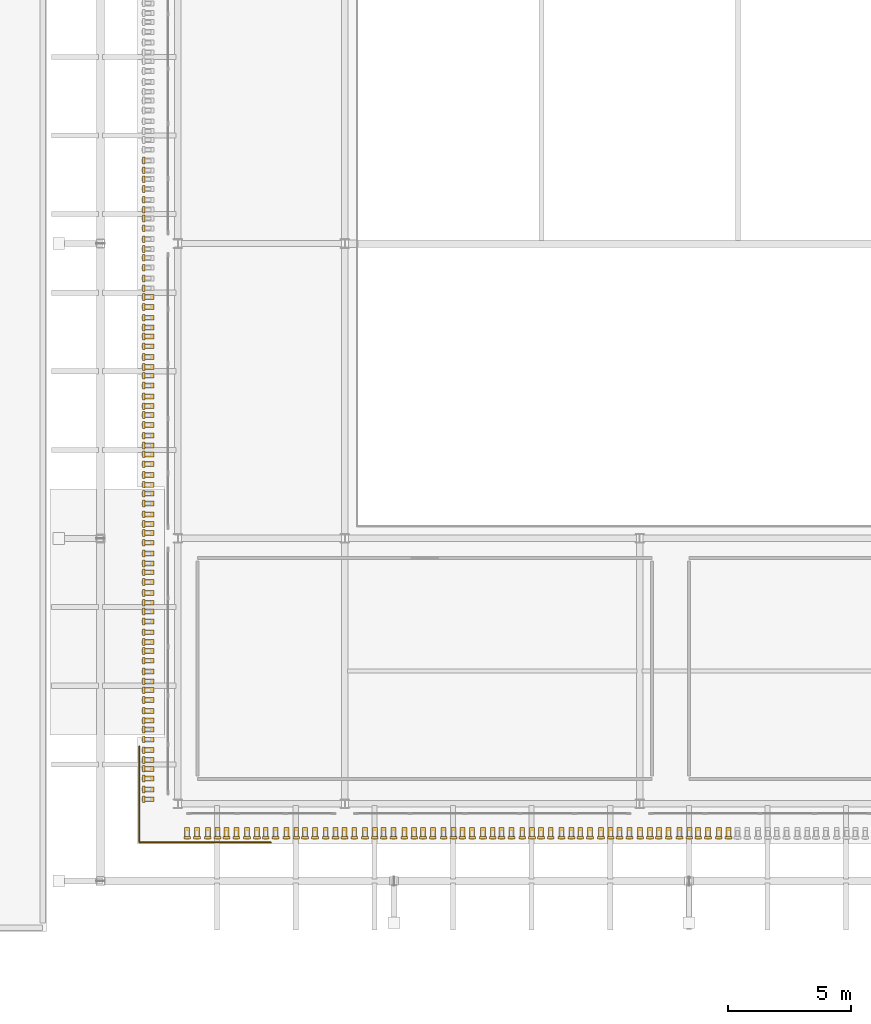
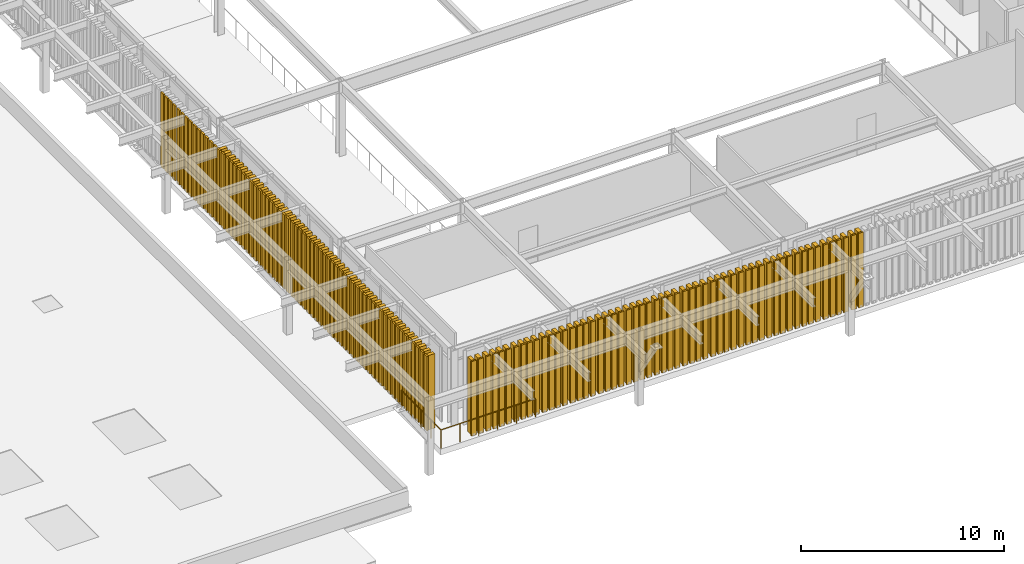
# One storey, part 116 of 126: 122 shading devices, 108 coverings, 1 railing.
"""IFC4 building model written with IfcOpenShell, lengths in metres."""

from ifc_helpers import new_model, si_unit, derived_unit, direction, frame, origin, origin_2d, place, context, subcontext, project, spatial, rectangle, circle, extrude, material, layer, layer_set, material_profile, profile_set, type_object, element, save


model = new_model("IFC4")

# Units and contexts
model_context = context("Model", 3, precision=1e-05, world=origin(), true_north=direction((0.0, 1.0)))
body_context = subcontext(model_context, "Body", "Model", "MODEL_VIEW")
ifc_project = project(units=[si_unit("LENGTHUNIT", "METRE"), si_unit("AREAUNIT", "SQUARE_METRE"), si_unit("VOLUMEUNIT", "CUBIC_METRE"), si_unit("PLANEANGLEUNIT", "RADIAN"), si_unit("MASSUNIT", "GRAM", prefix="KILO"), derived_unit("THERMALTRANSMITTANCEUNIT", [(si_unit("MASSUNIT", "GRAM", prefix="KILO"), 1), (si_unit("TIMEUNIT", "SECOND"), -3), (si_unit("THERMODYNAMICTEMPERATUREUNIT", "KELVIN"), -1)])], contexts=[model_context])

# Site, building, storey
site_placement = place(None, origin())
site = spatial("IfcSite", under=ifc_project, at=site_placement, CompositionType="ELEMENT")
building_placement = place(site_placement, origin())
building = spatial("IfcBuilding", under=site, at=building_placement, Name="Valcora Ridge Arena", CompositionType="ELEMENT")
storey_placement = place(building_placement, frame((0.0, 0.0, 11.39990234375)))
storey = spatial("IfcBuildingStorey", under=building, at=storey_placement, Name="L02", CompositionType="ELEMENT", Elevation=11.39990234375)

# Coverings
ifc_material_1 = material(Name="Anodised terracotta-bronze aluminium lancet batten 6063-T6", Category="masonry")
ifc_layer = layer(ifc_material_1, 0.199951171875, Name="Anodised terracotta-bronze aluminium lancet batten 6063-T6")
ifc_layer_set = layer_set([ifc_layer], Name="Anodised terracotta-bronze aluminium lancet batten 6063-T6")
covering_type = type_object("IfcCoveringType", Name="TY-COVERING-BAT-LANCET-448", PredefinedType="CLADDING", material=ifc_layer_set)
for number, where, z_axis, x_axis, name in (
    (1, (136.050048828125, 5.3798828125, 0.0), (0.0, 0.0, 1.0), (1.0, 0.0, 0.0), "BAT-LANCET-448 COV-BT-0001"),
    (2, (136.050048828125, 5.780029296875, 0.0), (0.0, 0.0, 1.0), (1.0, 0.0, 0.0), "BAT-LANCET-448 COV-BT-0003"),
    (3, (136.050048828125, 6.219970703125, 0.0), (0.0, 0.0, 1.0), (1.0, 0.0, 0.0), "BAT-LANCET-448 COV-BT-0005"),
    (4, (136.050048828125, 6.6201171875, 0.0), (0.0, 0.0, 1.0), (1.0, 0.0, 0.0), "BAT-LANCET-448 COV-BT-0007"),
    (5, (136.050048828125, 6.97998046875, 0.0), (0.0, 0.0, 1.0), (1.0, 0.0, 0.0), "BAT-LANCET-448 COV-BT-0009"),
    (6, (136.050048828125, 7.3798828125, 0.0), (0.0, 0.0, 1.0), (1.0, 0.0, 0.0), "BAT-LANCET-448 COV-BT-0011"),
    (7, (136.050048828125, 7.820068359375, 0.0), (0.0, 0.0, 1.0), (1.0, 0.0, 0.0), "BAT-LANCET-448 COV-BT-0013"),
    (8, (136.050048828125, 8.219970703125, 0.0), (0.0, 0.0, 1.0), (1.0, 0.0, 0.0), "BAT-LANCET-448 COV-BT-0015"),
    (9, (136.050048828125, 8.580078125, 0.0), (0.0, 0.0, 1.0), (1.0, 0.0, 0.0), "BAT-LANCET-448 COV-BT-0017"),
    (10, (136.050048828125, 8.97998046875, 0.0), (0.0, 0.0, 1.0), (1.0, 0.0, 0.0), "BAT-LANCET-448 COV-BT-0019"),
    (11, (136.050048828125, 9.419921875, 0.0), (0.0, 0.0, 1.0), (1.0, 0.0, 0.0), "BAT-LANCET-448 COV-BT-0021"),
    (12, (136.050048828125, 9.820068359375, 0.0), (0.0, 0.0, 1.0), (1.0, 0.0, 0.0), "BAT-LANCET-448 COV-BT-0023"),
    (13, (136.050048828125, 10.179931640625, 0.0), (0.0, 0.0, 1.0), (1.0, 0.0, 0.0), "BAT-LANCET-448 COV-BT-0025"),
    (14, (136.050048828125, 10.580078125, 0.0), (0.0, 0.0, 1.0), (1.0, 0.0, 0.0), "BAT-LANCET-448 COV-BT-0027"),
    (15, (136.050048828125, 11.02001953125, 0.0), (0.0, 0.0, 1.0), (1.0, 0.0, 0.0), "BAT-LANCET-448 COV-BT-0029"),
    (16, (136.050048828125, 11.419921875, 0.0), (0.0, 0.0, 1.0), (1.0, 0.0, 0.0), "BAT-LANCET-448 COV-BT-0031"),
    (17, (136.050048828125, 11.780029296875, 0.0), (0.0, 0.0, 1.0), (1.0, 0.0, 0.0), "BAT-LANCET-448 COV-BT-0033"),
    (18, (136.050048828125, 12.179931640625, 0.0), (0.0, 0.0, 1.0), (1.0, 0.0, 0.0), "BAT-LANCET-448 COV-BT-0035"),
    (19, (136.050048828125, 12.6201171875, 0.0), (0.0, 0.0, 1.0), (1.0, 0.0, 0.0), "BAT-LANCET-448 COV-BT-0037"),
    (20, (136.050048828125, 13.02001953125, 0.0), (0.0, 0.0, 1.0), (1.0, 0.0, 0.0), "BAT-LANCET-448 COV-BT-0039"),
    (21, (136.050048828125, 13.3798828125, 0.0), (0.0, 0.0, 1.0), (1.0, 0.0, 0.0), "BAT-LANCET-448 COV-BT-0041"),
    (22, (136.050048828125, 13.780029296875, 0.0), (0.0, 0.0, 1.0), (1.0, 0.0, 0.0), "BAT-LANCET-448 COV-BT-0043"),
    (23, (136.050048828125, 14.219970703125, 0.0), (0.0, 0.0, 1.0), (1.0, 0.0, 0.0), "BAT-LANCET-448 COV-BT-0045"),
    (24, (136.050048828125, 14.6201171875, 0.0), (0.0, 0.0, 1.0), (1.0, 0.0, 0.0), "BAT-LANCET-448 COV-BT-0047"),
    (25, (136.050048828125, 14.97998046875, 0.0), (0.0, 0.0, 1.0), (1.0, 0.0, 0.0), "BAT-LANCET-448 COV-BT-0049"),
    (26, (136.050048828125, 15.3798828125, 0.0), (0.0, 0.0, 1.0), (1.0, 0.0, 0.0), "BAT-LANCET-448 COV-BT-0051"),
    (27, (136.050048828125, 15.820068359375, 0.0), (0.0, 0.0, 1.0), (1.0, 0.0, 0.0), "BAT-LANCET-448 COV-BT-0053"),
    (28, (136.050048828125, 16.219970703125, 0.0), (0.0, 0.0, 1.0), (1.0, 0.0, 0.0), "BAT-LANCET-448 COV-BT-0055"),
    (29, (136.050048828125, 16.580078125, 0.0), (0.0, 0.0, 1.0), (1.0, 0.0, 0.0), "BAT-LANCET-448 COV-BT-0057"),
    (30, (136.050048828125, 16.97998046875, 0.0), (0.0, 0.0, 1.0), (1.0, 0.0, 0.0), "BAT-LANCET-448 COV-BT-0059"),
    (31, (136.050048828125, 17.419921875, 0.0), (0.0, 0.0, 1.0), (1.0, 0.0, 0.0), "BAT-LANCET-448 COV-BT-0061"),
    (32, (136.050048828125, 17.820068359375, 0.0), (0.0, 0.0, 1.0), (1.0, 0.0, 0.0), "BAT-LANCET-448 COV-BT-0063"),
    (33, (136.050048828125, 18.179931640625, 0.0), (0.0, 0.0, 1.0), (1.0, 0.0, 0.0), "BAT-LANCET-448 COV-BT-0065"),
    (34, (136.050048828125, 18.580078125, 0.0), (0.0, 0.0, 1.0), (1.0, 0.0, 0.0), "BAT-LANCET-448 COV-BT-0067"),
    (35, (136.050048828125, 19.02001953125, 0.0), (0.0, 0.0, 1.0), (1.0, 0.0, 0.0), "BAT-LANCET-448 COV-BT-0069"),
    (36, (136.050048828125, 19.419921875, 0.0), (0.0, 0.0, 1.0), (1.0, 0.0, 0.0), "BAT-LANCET-448 COV-BT-0071"),
    (37, (136.050048828125, 19.780029296875, 0.0), (0.0, 0.0, 1.0), (1.0, 0.0, 0.0), "BAT-LANCET-448 COV-BT-0073"),
    (38, (136.050048828125, 20.179931640625, 0.0), (0.0, 0.0, 1.0), (1.0, 0.0, 0.0), "BAT-LANCET-448 COV-BT-0075"),
    (39, (136.050048828125, 20.6201171875, 0.0), (0.0, 0.0, 1.0), (1.0, 0.0, 0.0), "BAT-LANCET-448 COV-BT-0077"),
    (40, (136.050048828125, 21.02001953125, 0.0), (0.0, 0.0, 1.0), (1.0, 0.0, 0.0), "BAT-LANCET-448 COV-BT-0079"),
    (41, (136.050048828125, 21.3798828125, 0.0), (0.0, 0.0, 1.0), (1.0, 0.0, 0.0), "BAT-LANCET-448 COV-BT-0081"),
    (42, (136.050048828125, 21.780029296875, 0.0), (0.0, 0.0, 1.0), (1.0, 0.0, 0.0), "BAT-LANCET-448 COV-BT-0083"),
    (43, (136.050048828125, 22.219970703125, 0.0), (0.0, 0.0, 1.0), (1.0, 0.0, 0.0), "BAT-LANCET-448 COV-BT-0085"),
    (44, (136.050048828125, 22.6201171875, 0.0), (0.0, 0.0, 1.0), (1.0, 0.0, 0.0), "BAT-LANCET-448 COV-BT-0087"),
    (45, (136.050048828125, 22.97998046875, 0.0), (0.0, 0.0, 1.0), (1.0, 0.0, 0.0), "BAT-LANCET-448 COV-BT-0089"),
    (46, (136.050048828125, 23.3798828125, 0.0), (0.0, 0.0, 1.0), (1.0, 0.0, 0.0), "BAT-LANCET-448 COV-BT-0091"),
    (47, (136.050048828125, 23.820068359375, 0.0), (0.0, 0.0, 1.0), (1.0, 0.0, 0.0), "BAT-LANCET-448 COV-BT-0093"),
    (48, (136.050048828125, 24.219970703125, 0.0), (0.0, 0.0, 1.0), (1.0, 0.0, 0.0), "BAT-LANCET-448 COV-BT-0095"),
    (49, (136.050048828125, 24.580078125, 0.0), (0.0, 0.0, 1.0), (1.0, 0.0, 0.0), "BAT-LANCET-448 COV-BT-0097"),
    (50, (136.050048828125, 24.97998046875, 0.0), (0.0, 0.0, 1.0), (1.0, 0.0, 0.0), "BAT-LANCET-448 COV-BT-0099"),
    (51, (136.050048828125, 25.419921875, 0.0), (0.0, 0.0, 1.0), (1.0, 0.0, 0.0), "BAT-LANCET-448 COV-BT-0101"),
    (52, (136.050048828125, 25.820068359375, 0.0), (0.0, 0.0, 1.0), (1.0, 0.0, 0.0), "BAT-LANCET-448 COV-BT-0103"),
):
    element("IfcCovering", number, at=place(storey_placement, frame(where, z_axis=z_axis, x_axis=x_axis)), inside=storey, type_object=covering_type, Name=name, PredefinedType="CLADDING", context=body_context, shape_type="SweptSolid", body=[
        extrude(rectangle(XDim=0.360107421875, YDim=0.199951171875, at=origin_2d()), origin(), (0.0, 0.0, 1.0), 4.47998046875),
    ])
for number, where, z_axis, x_axis, name in (
    (53, (137.580078125, 4.050048828125, 0.0), (0.0, 0.0, 1.0), (1.0, 0.0, 0.0), "BAT-LANCET-448 COV-BT-0361"),
    (54, (137.97998046875, 4.050048828125, 0.0), (0.0, 0.0, 1.0), (1.0, 0.0, 0.0), "BAT-LANCET-448 COV-BT-0363"),
    (55, (138.419921875, 4.050048828125, 0.0), (0.0, 0.0, 1.0), (1.0, 0.0, 0.0), "BAT-LANCET-448 COV-BT-0365"),
    (56, (138.820068359375, 4.050048828125, 0.0), (0.0, 0.0, 1.0), (1.0, 0.0, 0.0), "BAT-LANCET-448 COV-BT-0367"),
    (57, (139.179931640625, 4.050048828125, 0.0), (0.0, 0.0, 1.0), (1.0, 0.0, 0.0), "BAT-LANCET-448 COV-BT-0369"),
    (58, (139.580078125, 4.050048828125, 0.0), (0.0, 0.0, 1.0), (1.0, 0.0, 0.0), "BAT-LANCET-448 COV-BT-0371"),
    (59, (140.02001953125, 4.050048828125, 0.0), (0.0, 0.0, 1.0), (1.0, 0.0, 0.0), "BAT-LANCET-448 COV-BT-0373"),
    (60, (140.419921875, 4.050048828125, 0.0), (0.0, 0.0, 1.0), (1.0, 0.0, 0.0), "BAT-LANCET-448 COV-BT-0375"),
    (61, (140.780029296875, 4.050048828125, 0.0), (0.0, 0.0, 1.0), (1.0, 0.0, 0.0), "BAT-LANCET-448 COV-BT-0377"),
    (62, (141.179931640625, 4.050048828125, 0.0), (0.0, 0.0, 1.0), (1.0, 0.0, 0.0), "BAT-LANCET-448 COV-BT-0379"),
    (63, (141.6201171875, 4.050048828125, 0.0), (0.0, 0.0, 1.0), (1.0, 0.0, 0.0), "BAT-LANCET-448 COV-BT-0381"),
    (64, (142.02001953125, 4.050048828125, 0.0), (0.0, 0.0, 1.0), (1.0, 0.0, 0.0), "BAT-LANCET-448 COV-BT-0383"),
    (65, (142.3798828125, 4.050048828125, 0.0), (0.0, 0.0, 1.0), (1.0, 0.0, 0.0), "BAT-LANCET-448 COV-BT-0385"),
    (66, (142.780029296875, 4.050048828125, 0.0), (0.0, 0.0, 1.0), (1.0, 0.0, 0.0), "BAT-LANCET-448 COV-BT-0387"),
    (67, (143.219970703125, 4.050048828125, 0.0), (0.0, 0.0, 1.0), (1.0, 0.0, 0.0), "BAT-LANCET-448 COV-BT-0389"),
    (68, (143.6201171875, 4.050048828125, 0.0), (0.0, 0.0, 1.0), (1.0, 0.0, 0.0), "BAT-LANCET-448 COV-BT-0391"),
    (69, (143.97998046875, 4.050048828125, 0.0), (0.0, 0.0, 1.0), (1.0, 0.0, 0.0), "BAT-LANCET-448 COV-BT-0393"),
    (70, (144.3798828125, 4.050048828125, 0.0), (0.0, 0.0, 1.0), (1.0, 0.0, 0.0), "BAT-LANCET-448 COV-BT-0395"),
    (71, (144.820068359375, 4.050048828125, 0.0), (0.0, 0.0, 1.0), (1.0, 0.0, 0.0), "BAT-LANCET-448 COV-BT-0397"),
    (72, (145.219970703125, 4.050048828125, 0.0), (0.0, 0.0, 1.0), (1.0, 0.0, 0.0), "BAT-LANCET-448 COV-BT-0399"),
    (73, (145.580078125, 4.050048828125, 0.0), (0.0, 0.0, 1.0), (1.0, 0.0, 0.0), "BAT-LANCET-448 COV-BT-0401"),
    (74, (145.97998046875, 4.050048828125, 0.0), (0.0, 0.0, 1.0), (1.0, 0.0, 0.0), "BAT-LANCET-448 COV-BT-0403"),
    (75, (146.419921875, 4.050048828125, 0.0), (0.0, 0.0, 1.0), (1.0, 0.0, 0.0), "BAT-LANCET-448 COV-BT-0405"),
    (76, (146.820068359375, 4.050048828125, 0.0), (0.0, 0.0, 1.0), (1.0, 0.0, 0.0), "BAT-LANCET-448 COV-BT-0407"),
    (77, (147.179931640625, 4.050048828125, 0.0), (0.0, 0.0, 1.0), (1.0, 0.0, 0.0), "BAT-LANCET-448 COV-BT-0409"),
    (78, (147.580078125, 4.050048828125, 0.0), (0.0, 0.0, 1.0), (1.0, 0.0, 0.0), "BAT-LANCET-448 COV-BT-0411"),
    (79, (148.02001953125, 4.050048828125, 0.0), (0.0, 0.0, 1.0), (1.0, 0.0, 0.0), "BAT-LANCET-448 COV-BT-0413"),
    (80, (148.419921875, 4.050048828125, 0.0), (0.0, 0.0, 1.0), (1.0, 0.0, 0.0), "BAT-LANCET-448 COV-BT-0415"),
    (81, (148.780029296875, 4.050048828125, 0.0), (0.0, 0.0, 1.0), (1.0, 0.0, 0.0), "BAT-LANCET-448 COV-BT-0417"),
    (82, (149.179931640625, 4.050048828125, 0.0), (0.0, 0.0, 1.0), (1.0, 0.0, 0.0), "BAT-LANCET-448 COV-BT-0419"),
    (83, (149.6201171875, 4.050048828125, 0.0), (0.0, 0.0, 1.0), (1.0, 0.0, 0.0), "BAT-LANCET-448 COV-BT-0421"),
    (84, (150.02001953125, 4.050048828125, 0.0), (0.0, 0.0, 1.0), (1.0, 0.0, 0.0), "BAT-LANCET-448 COV-BT-0423"),
    (85, (150.3798828125, 4.050048828125, 0.0), (0.0, 0.0, 1.0), (1.0, 0.0, 0.0), "BAT-LANCET-448 COV-BT-0425"),
    (86, (150.780029296875, 4.050048828125, 0.0), (0.0, 0.0, 1.0), (1.0, 0.0, 0.0), "BAT-LANCET-448 COV-BT-0427"),
    (87, (151.219970703125, 4.050048828125, 0.0), (0.0, 0.0, 1.0), (1.0, 0.0, 0.0), "BAT-LANCET-448 COV-BT-0429"),
    (88, (151.6201171875, 4.050048828125, 0.0), (0.0, 0.0, 1.0), (1.0, 0.0, 0.0), "BAT-LANCET-448 COV-BT-0431"),
    (89, (151.97998046875, 4.050048828125, 0.0), (0.0, 0.0, 1.0), (1.0, 0.0, 0.0), "BAT-LANCET-448 COV-BT-0433"),
    (90, (152.3798828125, 4.050048828125, 0.0), (0.0, 0.0, 1.0), (1.0, 0.0, 0.0), "BAT-LANCET-448 COV-BT-0435"),
    (91, (152.820068359375, 4.050048828125, 0.0), (0.0, 0.0, 1.0), (1.0, 0.0, 0.0), "BAT-LANCET-448 COV-BT-0437"),
    (92, (153.219970703125, 4.050048828125, 0.0), (0.0, 0.0, 1.0), (1.0, 0.0, 0.0), "BAT-LANCET-448 COV-BT-0439"),
    (93, (153.580078125, 4.050048828125, 0.0), (0.0, 0.0, 1.0), (1.0, 0.0, 0.0), "BAT-LANCET-448 COV-BT-0441"),
    (94, (153.97998046875, 4.050048828125, 0.0), (0.0, 0.0, 1.0), (1.0, 0.0, 0.0), "BAT-LANCET-448 COV-BT-0443"),
    (95, (154.419921875, 4.050048828125, 0.0), (0.0, 0.0, 1.0), (1.0, 0.0, 0.0), "BAT-LANCET-448 COV-BT-0445"),
    (96, (154.820068359375, 4.050048828125, 0.0), (0.0, 0.0, 1.0), (1.0, 0.0, 0.0), "BAT-LANCET-448 COV-BT-0447"),
    (97, (155.179931640625, 4.050048828125, 0.0), (0.0, 0.0, 1.0), (1.0, 0.0, 0.0), "BAT-LANCET-448 COV-BT-0449"),
    (98, (155.580078125, 4.050048828125, 0.0), (0.0, 0.0, 1.0), (1.0, 0.0, 0.0), "BAT-LANCET-448 COV-BT-0451"),
    (99, (156.02001953125, 4.050048828125, 0.0), (0.0, 0.0, 1.0), (1.0, 0.0, 0.0), "BAT-LANCET-448 COV-BT-0453"),
    (100, (156.419921875, 4.050048828125, 0.0), (0.0, 0.0, 1.0), (1.0, 0.0, 0.0), "BAT-LANCET-448 COV-BT-0455"),
    (101, (156.780029296875, 4.050048828125, 0.0), (0.0, 0.0, 1.0), (1.0, 0.0, 0.0), "BAT-LANCET-448 COV-BT-0457"),
    (102, (157.179931640625, 4.050048828125, 0.0), (0.0, 0.0, 1.0), (1.0, 0.0, 0.0), "BAT-LANCET-448 COV-BT-0459"),
    (103, (157.6201171875, 4.050048828125, 0.0), (0.0, 0.0, 1.0), (1.0, 0.0, 0.0), "BAT-LANCET-448 COV-BT-0461"),
    (104, (158.02001953125, 4.050048828125, 0.0), (0.0, 0.0, 1.0), (1.0, 0.0, 0.0), "BAT-LANCET-448 COV-BT-0463"),
    (105, (158.3798828125, 4.050048828125, 0.0), (0.0, 0.0, 1.0), (1.0, 0.0, 0.0), "BAT-LANCET-448 COV-BT-0465"),
    (106, (158.780029296875, 4.050048828125, 0.0), (0.0, 0.0, 1.0), (1.0, 0.0, 0.0), "BAT-LANCET-448 COV-BT-0467"),
    (107, (159.219970703125, 4.050048828125, 0.0), (0.0, 0.0, 1.0), (1.0, 0.0, 0.0), "BAT-LANCET-448 COV-BT-0469"),
    (108, (159.6201171875, 4.050048828125, 0.0), (0.0, 0.0, 1.0), (1.0, 0.0, 0.0), "BAT-LANCET-448 COV-BT-0471"),
):
    element("IfcCovering", number, at=place(storey_placement, frame(where, z_axis=z_axis, x_axis=x_axis)), inside=storey, type_object=covering_type, Name=name, PredefinedType="CLADDING", context=body_context, shape_type="SweptSolid", body=[
        extrude(rectangle(XDim=0.199951171875, YDim=0.360107421875, at=origin_2d()), origin(), (0.0, 0.0, 1.0), 4.47998046875),
    ])

# Railing
ifc_material_2 = material(Name="Galvanized painted steel ASTM A500 Grade B", Category="steel")
railing_type = type_object("IfcRailingType", Name="TY-RAILING-GRD-VOID-1120", PredefinedType="GUARDRAIL", material=ifc_material_2)
railing_placement = place(storey_placement, frame((135.6298828125, 7.550048828125, 0.0)))
element("IfcRailing", 109, at=railing_placement, inside=storey, type_object=railing_type, Name="GRD-VOID-1120 RAL-DK-0028", PredefinedType="GUARDRAIL", context=body_context, shape_type="SweptSolid", body=[
    extrude(circle(Radius=0.02392578125, at=origin_2d()), frame((0.0, 0.0, 1.09619140625), z_axis=(0.0, -1.0, 0.0), x_axis=(1.0, 0.0, 0.0)), (0.0, 0.0, 1.0), 3.920166015625),
    extrude(circle(Radius=0.02392578125, at=origin_2d()), frame((0.0, -3.920166015625, 1.09619140625), z_axis=(1.0, 0.0, 0.0), x_axis=(0.0, 1.0, 0.0)), (0.0, 0.0, 1.0), 5.3701171875),
    extrude(circle(Radius=0.02099609375, at=origin_2d()), origin(), (0.0, 0.0, 1.0), 1.072021484375),
    extrude(circle(Radius=0.02099609375, at=origin_2d()), frame((0.0, -0.97998046875, 0.0)), (0.0, 0.0, 1.0), 1.072021484375),
    extrude(circle(Radius=0.02099609375, at=origin_2d()), frame((0.0, -1.9599609375, 0.0)), (0.0, 0.0, 1.0), 1.072021484375),
    extrude(circle(Radius=0.02099609375, at=origin_2d()), frame((0.0, -2.940185546875, 0.0)), (0.0, 0.0, 1.0), 1.072021484375),
    extrude(circle(Radius=0.02099609375, at=origin_2d()), frame((0.0, -3.920166015625, 0.0)), (0.0, 0.0, 1.0), 1.072021484375),
    extrude(circle(Radius=0.02099609375, at=origin_2d()), frame((1.073974609375, -3.920166015625, 0.0)), (0.0, 0.0, 1.0), 1.072021484375),
    extrude(circle(Radius=0.02099609375, at=origin_2d()), frame((2.14794921875, -3.920166015625, 0.0)), (0.0, 0.0, 1.0), 1.072021484375),
    extrude(circle(Radius=0.02099609375, at=origin_2d()), frame((3.22216796875, -3.920166015625, 0.0)), (0.0, 0.0, 1.0), 1.072021484375),
    extrude(circle(Radius=0.02099609375, at=origin_2d()), frame((4.296142578125, -3.920166015625, 0.0)), (0.0, 0.0, 1.0), 1.072021484375),
    extrude(circle(Radius=0.02099609375, at=origin_2d()), frame((5.3701171875, -3.920166015625, 0.0)), (0.0, 0.0, 1.0), 1.072021484375),
])

# Shading devices
ifc_material_profile = material_profile(ifc_material_1, rectangle(XDim=0.090087890625, YDim=0.27587890625, at=origin_2d()), Name="ALU LANCET BATTEN 90x276")
ifc_profile_set = profile_set([ifc_material_profile], Name="Anodised terracotta-bronze aluminium lancet batten 6063-T6")
shading_device_type = type_object("IfcShadingDeviceType", Name="TY-SHADINGDEVICE-FIN-LANCET-448", PredefinedType="JALOUSIE", material=ifc_profile_set)
for number, where, z_axis, x_axis, name in (
    (110, (135.81005859375, 5.3798828125, 0.0), (0.0, 0.0, 1.0), (1.0, 0.0, 0.0), "FIN-LANCET-448 SHD-FN-0001"),
    (111, (135.81005859375, 5.780029296875, 0.0), (0.0, 0.0, 1.0), (1.0, 0.0, 0.0), "FIN-LANCET-448 SHD-FN-0003"),
    (112, (135.81005859375, 6.219970703125, 0.0), (0.0, 0.0, 1.0), (1.0, 0.0, 0.0), "FIN-LANCET-448 SHD-FN-0005"),
    (113, (135.81005859375, 6.6201171875, 0.0), (0.0, 0.0, 1.0), (1.0, 0.0, 0.0), "FIN-LANCET-448 SHD-FN-0007"),
    (114, (135.81005859375, 6.97998046875, 0.0), (0.0, 0.0, 1.0), (1.0, 0.0, 0.0), "FIN-LANCET-448 SHD-FN-0009"),
    (115, (135.81005859375, 7.3798828125, 0.0), (0.0, 0.0, 1.0), (1.0, 0.0, 0.0), "FIN-LANCET-448 SHD-FN-0011"),
    (116, (135.81005859375, 7.820068359375, 0.0), (0.0, 0.0, 1.0), (1.0, 0.0, 0.0), "FIN-LANCET-448 SHD-FN-0013"),
    (117, (135.81005859375, 8.219970703125, 0.0), (0.0, 0.0, 1.0), (1.0, 0.0, 0.0), "FIN-LANCET-448 SHD-FN-0015"),
    (118, (135.81005859375, 8.580078125, 0.0), (0.0, 0.0, 1.0), (1.0, 0.0, 0.0), "FIN-LANCET-448 SHD-FN-0017"),
    (119, (135.81005859375, 8.97998046875, 0.0), (0.0, 0.0, 1.0), (1.0, 0.0, 0.0), "FIN-LANCET-448 SHD-FN-0019"),
    (120, (135.81005859375, 9.419921875, 0.0), (0.0, 0.0, 1.0), (1.0, 0.0, 0.0), "FIN-LANCET-448 SHD-FN-0021"),
    (121, (135.81005859375, 9.820068359375, 0.0), (0.0, 0.0, 1.0), (1.0, 0.0, 0.0), "FIN-LANCET-448 SHD-FN-0023"),
    (122, (135.81005859375, 10.179931640625, 0.0), (0.0, 0.0, 1.0), (1.0, 0.0, 0.0), "FIN-LANCET-448 SHD-FN-0025"),
    (123, (135.81005859375, 10.580078125, 0.0), (0.0, 0.0, 1.0), (1.0, 0.0, 0.0), "FIN-LANCET-448 SHD-FN-0027"),
    (124, (135.81005859375, 11.02001953125, 0.0), (0.0, 0.0, 1.0), (1.0, 0.0, 0.0), "FIN-LANCET-448 SHD-FN-0029"),
    (125, (135.81005859375, 11.419921875, 0.0), (0.0, 0.0, 1.0), (1.0, 0.0, 0.0), "FIN-LANCET-448 SHD-FN-0031"),
    (126, (135.81005859375, 11.780029296875, 0.0), (0.0, 0.0, 1.0), (1.0, 0.0, 0.0), "FIN-LANCET-448 SHD-FN-0033"),
    (127, (135.81005859375, 12.179931640625, 0.0), (0.0, 0.0, 1.0), (1.0, 0.0, 0.0), "FIN-LANCET-448 SHD-FN-0035"),
    (128, (135.81005859375, 12.6201171875, 0.0), (0.0, 0.0, 1.0), (1.0, 0.0, 0.0), "FIN-LANCET-448 SHD-FN-0037"),
    (129, (135.81005859375, 13.02001953125, 0.0), (0.0, 0.0, 1.0), (1.0, 0.0, 0.0), "FIN-LANCET-448 SHD-FN-0039"),
    (130, (135.81005859375, 13.3798828125, 0.0), (0.0, 0.0, 1.0), (1.0, 0.0, 0.0), "FIN-LANCET-448 SHD-FN-0041"),
    (131, (135.81005859375, 13.780029296875, 0.0), (0.0, 0.0, 1.0), (1.0, 0.0, 0.0), "FIN-LANCET-448 SHD-FN-0043"),
    (132, (135.81005859375, 14.219970703125, 0.0), (0.0, 0.0, 1.0), (1.0, 0.0, 0.0), "FIN-LANCET-448 SHD-FN-0045"),
    (133, (135.81005859375, 14.6201171875, 0.0), (0.0, 0.0, 1.0), (1.0, 0.0, 0.0), "FIN-LANCET-448 SHD-FN-0047"),
    (134, (135.81005859375, 14.97998046875, 0.0), (0.0, 0.0, 1.0), (1.0, 0.0, 0.0), "FIN-LANCET-448 SHD-FN-0049"),
    (135, (135.81005859375, 15.3798828125, 0.0), (0.0, 0.0, 1.0), (1.0, 0.0, 0.0), "FIN-LANCET-448 SHD-FN-0051"),
    (136, (135.81005859375, 15.820068359375, 0.0), (0.0, 0.0, 1.0), (1.0, 0.0, 0.0), "FIN-LANCET-448 SHD-FN-0053"),
    (137, (135.81005859375, 16.219970703125, 0.0), (0.0, 0.0, 1.0), (1.0, 0.0, 0.0), "FIN-LANCET-448 SHD-FN-0055"),
    (138, (135.81005859375, 16.580078125, 0.0), (0.0, 0.0, 1.0), (1.0, 0.0, 0.0), "FIN-LANCET-448 SHD-FN-0057"),
    (139, (135.81005859375, 16.97998046875, 0.0), (0.0, 0.0, 1.0), (1.0, 0.0, 0.0), "FIN-LANCET-448 SHD-FN-0059"),
    (140, (135.81005859375, 17.419921875, 0.0), (0.0, 0.0, 1.0), (1.0, 0.0, 0.0), "FIN-LANCET-448 SHD-FN-0061"),
    (141, (135.81005859375, 17.820068359375, 0.0), (0.0, 0.0, 1.0), (1.0, 0.0, 0.0), "FIN-LANCET-448 SHD-FN-0063"),
    (142, (135.81005859375, 18.179931640625, 0.0), (0.0, 0.0, 1.0), (1.0, 0.0, 0.0), "FIN-LANCET-448 SHD-FN-0065"),
    (143, (135.81005859375, 18.580078125, 0.0), (0.0, 0.0, 1.0), (1.0, 0.0, 0.0), "FIN-LANCET-448 SHD-FN-0067"),
    (144, (135.81005859375, 19.02001953125, 0.0), (0.0, 0.0, 1.0), (1.0, 0.0, 0.0), "FIN-LANCET-448 SHD-FN-0069"),
    (145, (135.81005859375, 19.419921875, 0.0), (0.0, 0.0, 1.0), (1.0, 0.0, 0.0), "FIN-LANCET-448 SHD-FN-0071"),
    (146, (135.81005859375, 19.780029296875, 0.0), (0.0, 0.0, 1.0), (1.0, 0.0, 0.0), "FIN-LANCET-448 SHD-FN-0073"),
    (147, (135.81005859375, 20.179931640625, 0.0), (0.0, 0.0, 1.0), (1.0, 0.0, 0.0), "FIN-LANCET-448 SHD-FN-0075"),
    (148, (135.81005859375, 20.6201171875, 0.0), (0.0, 0.0, 1.0), (1.0, 0.0, 0.0), "FIN-LANCET-448 SHD-FN-0077"),
    (149, (135.81005859375, 21.02001953125, 0.0), (0.0, 0.0, 1.0), (1.0, 0.0, 0.0), "FIN-LANCET-448 SHD-FN-0079"),
    (150, (135.81005859375, 21.3798828125, 0.0), (0.0, 0.0, 1.0), (1.0, 0.0, 0.0), "FIN-LANCET-448 SHD-FN-0081"),
    (151, (135.81005859375, 21.780029296875, 0.0), (0.0, 0.0, 1.0), (1.0, 0.0, 0.0), "FIN-LANCET-448 SHD-FN-0083"),
    (152, (135.81005859375, 22.219970703125, 0.0), (0.0, 0.0, 1.0), (1.0, 0.0, 0.0), "FIN-LANCET-448 SHD-FN-0085"),
    (153, (135.81005859375, 22.6201171875, 0.0), (0.0, 0.0, 1.0), (1.0, 0.0, 0.0), "FIN-LANCET-448 SHD-FN-0087"),
    (154, (135.81005859375, 22.97998046875, 0.0), (0.0, 0.0, 1.0), (1.0, 0.0, 0.0), "FIN-LANCET-448 SHD-FN-0089"),
    (155, (135.81005859375, 23.3798828125, 0.0), (0.0, 0.0, 1.0), (1.0, 0.0, 0.0), "FIN-LANCET-448 SHD-FN-0091"),
    (156, (135.81005859375, 23.820068359375, 0.0), (0.0, 0.0, 1.0), (1.0, 0.0, 0.0), "FIN-LANCET-448 SHD-FN-0093"),
    (157, (135.81005859375, 24.219970703125, 0.0), (0.0, 0.0, 1.0), (1.0, 0.0, 0.0), "FIN-LANCET-448 SHD-FN-0095"),
    (158, (135.81005859375, 24.580078125, 0.0), (0.0, 0.0, 1.0), (1.0, 0.0, 0.0), "FIN-LANCET-448 SHD-FN-0097"),
    (159, (135.81005859375, 24.97998046875, 0.0), (0.0, 0.0, 1.0), (1.0, 0.0, 0.0), "FIN-LANCET-448 SHD-FN-0099"),
    (160, (135.81005859375, 25.419921875, 0.0), (0.0, 0.0, 1.0), (1.0, 0.0, 0.0), "FIN-LANCET-448 SHD-FN-0101"),
    (161, (135.81005859375, 25.820068359375, 0.0), (0.0, 0.0, 1.0), (1.0, 0.0, 0.0), "FIN-LANCET-448 SHD-FN-0103"),
    (162, (135.81005859375, 26.179931640625, 0.0), (0.0, 0.0, 1.0), (1.0, 0.0, 0.0), "FIN-LANCET-448 SHD-FN-0105"),
    (163, (135.81005859375, 26.580078125, 0.0), (0.0, 0.0, 1.0), (1.0, 0.0, 0.0), "FIN-LANCET-448 SHD-FN-0107"),
    (164, (135.81005859375, 27.02001953125, 0.0), (0.0, 0.0, 1.0), (1.0, 0.0, 0.0), "FIN-LANCET-448 SHD-FN-0109"),
    (165, (135.81005859375, 27.419921875, 0.0), (0.0, 0.0, 1.0), (1.0, 0.0, 0.0), "FIN-LANCET-448 SHD-FN-0111"),
    (166, (135.81005859375, 27.780029296875, 0.0), (0.0, 0.0, 1.0), (1.0, 0.0, 0.0), "FIN-LANCET-448 SHD-FN-0113"),
    (167, (135.81005859375, 28.179931640625, 0.0), (0.0, 0.0, 1.0), (1.0, 0.0, 0.0), "FIN-LANCET-448 SHD-FN-0115"),
    (168, (135.81005859375, 28.6201171875, 0.0), (0.0, 0.0, 1.0), (1.0, 0.0, 0.0), "FIN-LANCET-448 SHD-FN-0117"),
    (169, (135.81005859375, 29.02001953125, 0.0), (0.0, 0.0, 1.0), (1.0, 0.0, 0.0), "FIN-LANCET-448 SHD-FN-0119"),
    (170, (135.81005859375, 29.3798828125, 0.0), (0.0, 0.0, 1.0), (1.0, 0.0, 0.0), "FIN-LANCET-448 SHD-FN-0121"),
    (171, (135.81005859375, 29.780029296875, 0.0), (0.0, 0.0, 1.0), (1.0, 0.0, 0.0), "FIN-LANCET-448 SHD-FN-0123"),
    (172, (135.81005859375, 30.219970703125, 0.0), (0.0, 0.0, 1.0), (1.0, 0.0, 0.0), "FIN-LANCET-448 SHD-FN-0125"),
    (173, (135.81005859375, 30.6201171875, 0.0), (0.0, 0.0, 1.0), (1.0, 0.0, 0.0), "FIN-LANCET-448 SHD-FN-0127"),
    (174, (135.81005859375, 30.97998046875, 0.0), (0.0, 0.0, 1.0), (1.0, 0.0, 0.0), "FIN-LANCET-448 SHD-FN-0129"),
    (175, (135.81005859375, 31.3798828125, 0.0), (0.0, 0.0, 1.0), (1.0, 0.0, 0.0), "FIN-LANCET-448 SHD-FN-0131"),
    (176, (137.580078125, 3.81005859375, 0.0), (0.0, 0.0, 1.0), (0.0, 1.0, 0.0), "FIN-LANCET-448 SHD-FN-0361"),
    (177, (137.97998046875, 3.81005859375, 0.0), (0.0, 0.0, 1.0), (0.0, 1.0, 0.0), "FIN-LANCET-448 SHD-FN-0363"),
    (178, (138.419921875, 3.81005859375, 0.0), (0.0, 0.0, 1.0), (0.0, 1.0, 0.0), "FIN-LANCET-448 SHD-FN-0365"),
    (179, (138.820068359375, 3.81005859375, 0.0), (0.0, 0.0, 1.0), (0.0, 1.0, 0.0), "FIN-LANCET-448 SHD-FN-0367"),
    (180, (139.179931640625, 3.81005859375, 0.0), (0.0, 0.0, 1.0), (0.0, 1.0, 0.0), "FIN-LANCET-448 SHD-FN-0369"),
    (181, (139.580078125, 3.81005859375, 0.0), (0.0, 0.0, 1.0), (0.0, 1.0, 0.0), "FIN-LANCET-448 SHD-FN-0371"),
    (182, (140.02001953125, 3.81005859375, 0.0), (0.0, 0.0, 1.0), (0.0, 1.0, 0.0), "FIN-LANCET-448 SHD-FN-0373"),
    (183, (140.419921875, 3.81005859375, 0.0), (0.0, 0.0, 1.0), (0.0, 1.0, 0.0), "FIN-LANCET-448 SHD-FN-0375"),
    (184, (140.780029296875, 3.81005859375, 0.0), (0.0, 0.0, 1.0), (0.0, 1.0, 0.0), "FIN-LANCET-448 SHD-FN-0377"),
    (185, (141.179931640625, 3.81005859375, 0.0), (0.0, 0.0, 1.0), (0.0, 1.0, 0.0), "FIN-LANCET-448 SHD-FN-0379"),
    (186, (141.6201171875, 3.81005859375, 0.0), (0.0, 0.0, 1.0), (0.0, 1.0, 0.0), "FIN-LANCET-448 SHD-FN-0381"),
    (187, (142.02001953125, 3.81005859375, 0.0), (0.0, 0.0, 1.0), (0.0, 1.0, 0.0), "FIN-LANCET-448 SHD-FN-0383"),
    (188, (142.3798828125, 3.81005859375, 0.0), (0.0, 0.0, 1.0), (0.0, 1.0, 0.0), "FIN-LANCET-448 SHD-FN-0385"),
    (189, (142.780029296875, 3.81005859375, 0.0), (0.0, 0.0, 1.0), (0.0, 1.0, 0.0), "FIN-LANCET-448 SHD-FN-0387"),
    (190, (143.219970703125, 3.81005859375, 0.0), (0.0, 0.0, 1.0), (0.0, 1.0, 0.0), "FIN-LANCET-448 SHD-FN-0389"),
    (191, (143.6201171875, 3.81005859375, 0.0), (0.0, 0.0, 1.0), (0.0, 1.0, 0.0), "FIN-LANCET-448 SHD-FN-0391"),
    (192, (143.97998046875, 3.81005859375, 0.0), (0.0, 0.0, 1.0), (0.0, 1.0, 0.0), "FIN-LANCET-448 SHD-FN-0393"),
    (193, (144.3798828125, 3.81005859375, 0.0), (0.0, 0.0, 1.0), (0.0, 1.0, 0.0), "FIN-LANCET-448 SHD-FN-0395"),
    (194, (144.820068359375, 3.81005859375, 0.0), (0.0, 0.0, 1.0), (0.0, 1.0, 0.0), "FIN-LANCET-448 SHD-FN-0397"),
    (195, (145.219970703125, 3.81005859375, 0.0), (0.0, 0.0, 1.0), (0.0, 1.0, 0.0), "FIN-LANCET-448 SHD-FN-0399"),
    (196, (145.580078125, 3.81005859375, 0.0), (0.0, 0.0, 1.0), (0.0, 1.0, 0.0), "FIN-LANCET-448 SHD-FN-0401"),
    (197, (145.97998046875, 3.81005859375, 0.0), (0.0, 0.0, 1.0), (0.0, 1.0, 0.0), "FIN-LANCET-448 SHD-FN-0403"),
    (198, (146.419921875, 3.81005859375, 0.0), (0.0, 0.0, 1.0), (0.0, 1.0, 0.0), "FIN-LANCET-448 SHD-FN-0405"),
    (199, (146.820068359375, 3.81005859375, 0.0), (0.0, 0.0, 1.0), (0.0, 1.0, 0.0), "FIN-LANCET-448 SHD-FN-0407"),
    (200, (147.179931640625, 3.81005859375, 0.0), (0.0, 0.0, 1.0), (0.0, 1.0, 0.0), "FIN-LANCET-448 SHD-FN-0409"),
    (201, (147.580078125, 3.81005859375, 0.0), (0.0, 0.0, 1.0), (0.0, 1.0, 0.0), "FIN-LANCET-448 SHD-FN-0411"),
    (202, (148.02001953125, 3.81005859375, 0.0), (0.0, 0.0, 1.0), (0.0, 1.0, 0.0), "FIN-LANCET-448 SHD-FN-0413"),
    (203, (148.419921875, 3.81005859375, 0.0), (0.0, 0.0, 1.0), (0.0, 1.0, 0.0), "FIN-LANCET-448 SHD-FN-0415"),
    (204, (148.780029296875, 3.81005859375, 0.0), (0.0, 0.0, 1.0), (0.0, 1.0, 0.0), "FIN-LANCET-448 SHD-FN-0417"),
    (205, (149.179931640625, 3.81005859375, 0.0), (0.0, 0.0, 1.0), (0.0, 1.0, 0.0), "FIN-LANCET-448 SHD-FN-0419"),
    (206, (149.6201171875, 3.81005859375, 0.0), (0.0, 0.0, 1.0), (0.0, 1.0, 0.0), "FIN-LANCET-448 SHD-FN-0421"),
    (207, (150.02001953125, 3.81005859375, 0.0), (0.0, 0.0, 1.0), (0.0, 1.0, 0.0), "FIN-LANCET-448 SHD-FN-0423"),
    (208, (150.3798828125, 3.81005859375, 0.0), (0.0, 0.0, 1.0), (0.0, 1.0, 0.0), "FIN-LANCET-448 SHD-FN-0425"),
    (209, (150.780029296875, 3.81005859375, 0.0), (0.0, 0.0, 1.0), (0.0, 1.0, 0.0), "FIN-LANCET-448 SHD-FN-0427"),
    (210, (151.219970703125, 3.81005859375, 0.0), (0.0, 0.0, 1.0), (0.0, 1.0, 0.0), "FIN-LANCET-448 SHD-FN-0429"),
    (211, (151.6201171875, 3.81005859375, 0.0), (0.0, 0.0, 1.0), (0.0, 1.0, 0.0), "FIN-LANCET-448 SHD-FN-0431"),
    (212, (151.97998046875, 3.81005859375, 0.0), (0.0, 0.0, 1.0), (0.0, 1.0, 0.0), "FIN-LANCET-448 SHD-FN-0433"),
    (213, (152.3798828125, 3.81005859375, 0.0), (0.0, 0.0, 1.0), (0.0, 1.0, 0.0), "FIN-LANCET-448 SHD-FN-0435"),
    (214, (152.820068359375, 3.81005859375, 0.0), (0.0, 0.0, 1.0), (0.0, 1.0, 0.0), "FIN-LANCET-448 SHD-FN-0437"),
    (215, (153.219970703125, 3.81005859375, 0.0), (0.0, 0.0, 1.0), (0.0, 1.0, 0.0), "FIN-LANCET-448 SHD-FN-0439"),
    (216, (153.580078125, 3.81005859375, 0.0), (0.0, 0.0, 1.0), (0.0, 1.0, 0.0), "FIN-LANCET-448 SHD-FN-0441"),
    (217, (153.97998046875, 3.81005859375, 0.0), (0.0, 0.0, 1.0), (0.0, 1.0, 0.0), "FIN-LANCET-448 SHD-FN-0443"),
    (218, (154.419921875, 3.81005859375, 0.0), (0.0, 0.0, 1.0), (0.0, 1.0, 0.0), "FIN-LANCET-448 SHD-FN-0445"),
    (219, (154.820068359375, 3.81005859375, 0.0), (0.0, 0.0, 1.0), (0.0, 1.0, 0.0), "FIN-LANCET-448 SHD-FN-0447"),
    (220, (155.179931640625, 3.81005859375, 0.0), (0.0, 0.0, 1.0), (0.0, 1.0, 0.0), "FIN-LANCET-448 SHD-FN-0449"),
    (221, (155.580078125, 3.81005859375, 0.0), (0.0, 0.0, 1.0), (0.0, 1.0, 0.0), "FIN-LANCET-448 SHD-FN-0451"),
    (222, (156.02001953125, 3.81005859375, 0.0), (0.0, 0.0, 1.0), (0.0, 1.0, 0.0), "FIN-LANCET-448 SHD-FN-0453"),
    (223, (156.419921875, 3.81005859375, 0.0), (0.0, 0.0, 1.0), (0.0, 1.0, 0.0), "FIN-LANCET-448 SHD-FN-0455"),
    (224, (156.780029296875, 3.81005859375, 0.0), (0.0, 0.0, 1.0), (0.0, 1.0, 0.0), "FIN-LANCET-448 SHD-FN-0457"),
    (225, (157.179931640625, 3.81005859375, 0.0), (0.0, 0.0, 1.0), (0.0, 1.0, 0.0), "FIN-LANCET-448 SHD-FN-0459"),
    (226, (157.6201171875, 3.81005859375, 0.0), (0.0, 0.0, 1.0), (0.0, 1.0, 0.0), "FIN-LANCET-448 SHD-FN-0461"),
    (227, (158.02001953125, 3.81005859375, 0.0), (0.0, 0.0, 1.0), (0.0, 1.0, 0.0), "FIN-LANCET-448 SHD-FN-0463"),
    (228, (158.3798828125, 3.81005859375, 0.0), (0.0, 0.0, 1.0), (0.0, 1.0, 0.0), "FIN-LANCET-448 SHD-FN-0465"),
    (229, (158.780029296875, 3.81005859375, 0.0), (0.0, 0.0, 1.0), (0.0, 1.0, 0.0), "FIN-LANCET-448 SHD-FN-0467"),
    (230, (159.219970703125, 3.81005859375, 0.0), (0.0, 0.0, 1.0), (0.0, 1.0, 0.0), "FIN-LANCET-448 SHD-FN-0469"),
    (231, (159.6201171875, 3.81005859375, 0.0), (0.0, 0.0, 1.0), (0.0, 1.0, 0.0), "FIN-LANCET-448 SHD-FN-0471"),
):
    element("IfcShadingDevice", number, at=place(storey_placement, frame(where, z_axis=z_axis, x_axis=x_axis)), inside=storey, type_object=shading_device_type, Name=name, PredefinedType="JALOUSIE", context=body_context, shape_type="SweptSolid", body=[
        extrude(rectangle(XDim=0.090087890625, YDim=0.27587890625, at=origin_2d()), origin(), (0.0, 0.0, 1.0), 4.47998046875),
    ])

save(model, "model.ifc")
